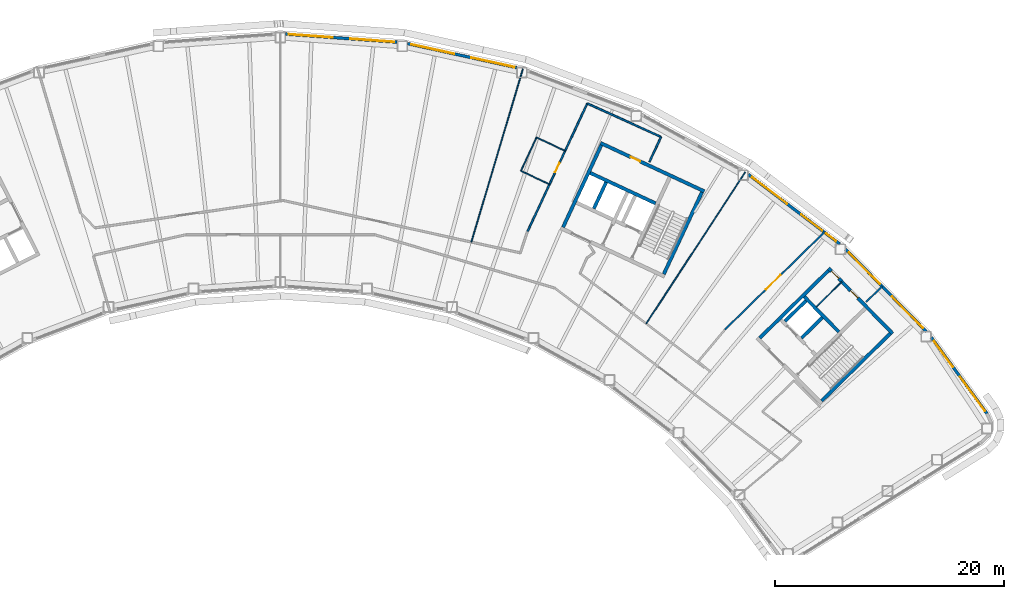
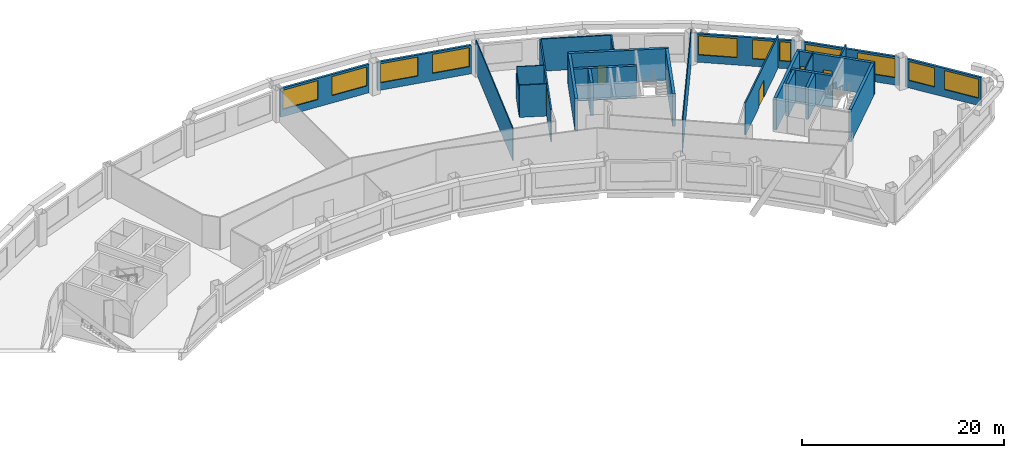
# One storey, part 9 of 12: 27 walls, 11 windows, 5 doors, 16 openings.
"""IFC4 building model written with IfcOpenShell, lengths in metres."""

from ifc_helpers import new_model, si_unit, direction, frame, frame_2d, origin, place, context, subcontext, project, spatial, rectangle, extrude, material, layer, layer_set, type_object, element, fill, save


model = new_model("IFC4")

# Units and contexts
model_context = context("Model", 3, precision=1e-05, world=origin(), true_north=direction((0.0, 1.0)))
body_context = subcontext(model_context, "Body", "Model", "MODEL_VIEW")
ifc_project = project(units=[si_unit("LENGTHUNIT", "METRE"), si_unit("AREAUNIT", "SQUARE_METRE"), si_unit("VOLUMEUNIT", "CUBIC_METRE"), si_unit("PLANEANGLEUNIT", "RADIAN"), si_unit("MASSUNIT", "GRAM", prefix="KILO")], contexts=[model_context])

# Site, building, storey
site_placement = place(None, origin())
site = spatial("IfcSite", under=ifc_project, at=site_placement, CompositionType="ELEMENT")
building_placement = place(site_placement, origin())
building = spatial("IfcBuilding", under=site, at=building_placement, Name="Tuul Gate Civic Tower", CompositionType="ELEMENT")
storey_placement = place(building_placement, frame((0.0, 0.0, 193.10009765625)))
storey = spatial("IfcBuildingStorey", under=building, at=storey_placement, Name="Level 44", CompositionType="ELEMENT", Elevation=193.10009765625)

# Wall
ifc_material_1 = material(Name="Concrete C50/60", Category="concrete")
ifc_layer_1 = layer(ifc_material_1, 0.300048828125)
ifc_layer_set_1 = layer_set([ifc_layer_1], Name="Concrete C50/60")
wall_type_1 = type_object("IfcWallType", Name="Core wall C50/60", PredefinedType="SHEAR", material=ifc_layer_set_1)
wall_1_placement = place(storey_placement, frame((49.737060546875, -12.0849609375, 0.0), z_axis=(0.0, 0.0, 1.0), x_axis=(-0.700002721075, 0.714140175657, 0.0)))
element("IfcWall", 1, at=wall_1_placement, inside=storey, type_object=wall_type_1, Name="Core wall", PredefinedType="SHEAR", context=body_context, shape_type="SweptSolid", body=[
    extrude(rectangle(XDim=4.300048828125, YDim=0.300048828125, at=frame_2d((2.14990234375, 0.0))), origin(), (0.0, 0.0, 1.0), 3.89990234375),
])

# Wall, openings, doors
wall_2_placement = place(storey_placement, frame((54.43798828125, -12.23779296875, 0.0), z_axis=(0.0, 0.0, 1.0), x_axis=(-0.700021979774, 0.714121297703, 0.0)))
wall_2 = element("IfcWall", 2, at=wall_2_placement, inside=storey, type_object=wall_type_1, Name="Core wall", PredefinedType="SHEAR", context=body_context, shape_type="SweptSolid", body=[
    extrude(rectangle(XDim=8.0, YDim=0.300048828125, at=frame_2d((4.0, 0.0))), origin(), (0.0, 0.0, 1.0), 3.89990234375),
])
opening_1_placement = place(wall_2_placement, frame((4.34375, 0.0, 0.0)))
opening_1 = element("IfcOpeningElement", 3, at=opening_1_placement, cuts=wall_2, Name="Opening P-D14", PredefinedType="OPENING", context=body_context, shape_type="SweptSolid", body=[
    extrude(rectangle(XDim=0.89990234375, YDim=2.10009765625, at=frame_2d((0.449951171875, 1.050048828125))), frame((0.0, 0.16015625, 0.0), z_axis=(0.0, -1.0, 0.0), x_axis=(1.0, 0.0, 0.0)), (0.0, 0.0, 1.0), 0.320068359375),
])
opening_2_placement = place(wall_2_placement, frame((6.71875, 0.0, 0.0)))
opening_2 = element("IfcOpeningElement", 4, at=opening_2_placement, cuts=wall_2, Name="Opening P-D15", PredefinedType="OPENING", context=body_context, shape_type="SweptSolid", body=[
    extrude(rectangle(XDim=0.89990234375, YDim=2.10009765625, at=frame_2d((0.449951171875, 1.050048828125))), frame((0.0, 0.16015625, 0.0), z_axis=(0.0, -1.0, 0.0), x_axis=(1.0, 0.0, 0.0)), (0.0, 0.0, 1.0), 0.320068359375),
])
ifc_material_2 = material(Name="Timber door leaf", Category="wood")
door_type_1 = type_object("IfcDoorType", Name="Door D09", OperationType="NOTDEFINED", PredefinedType="DOOR", material=ifc_material_2)
door_1_placement = place(opening_1_placement, origin())
door_1 = element("IfcDoor", 5, at=door_1_placement, inside=storey, type_object=door_type_1, Name="Door P-D14", OperationType="SINGLE_SWING_LEFT", OverallHeight=2.10009765625, OverallWidth=0.89990234375, PredefinedType="DOOR", context=body_context, shape_type="SweptSolid", body=[
    extrude(rectangle(XDim=0.89990234375, YDim=2.10009765625, at=frame_2d((0.449951171875, 1.050048828125))), frame((0.0, 0.02490234375, 0.0), z_axis=(0.0, -1.0, 0.0), x_axis=(1.0, 0.0, 0.0)), (0.0, 0.0, 1.0), 0.050048828125),
])
fill(opening_1, door_1)
door_2_placement = place(opening_2_placement, origin())
door_2 = element("IfcDoor", 6, at=door_2_placement, inside=storey, type_object=door_type_1, Name="Door P-D15", OperationType="SINGLE_SWING_LEFT", OverallHeight=2.10009765625, OverallWidth=0.89990234375, PredefinedType="DOOR", context=body_context, shape_type="SweptSolid", body=[
    extrude(rectangle(XDim=0.89990234375, YDim=2.10009765625, at=frame_2d((0.449951171875, 1.050048828125))), frame((0.0, 0.02490234375, 0.0), z_axis=(0.0, -1.0, 0.0), x_axis=(1.0, 0.0, 0.0)), (0.0, 0.0, 1.0), 0.050048828125),
])
fill(opening_2, door_2)

# Walls
wall_3_placement = place(storey_placement, frame((48.227294921875, -18.115966796875, 0.0), z_axis=(0.0, 0.0, 1.0), x_axis=(0.714105315431, 0.700038283577, 0.0)))
element("IfcWall", 7, at=wall_3_placement, inside=storey, type_object=wall_type_1, Name="Core wall", PredefinedType="SHEAR", context=body_context, shape_type="SweptSolid", body=[
    extrude(rectangle(XDim=8.400146484375, YDim=0.300048828125, at=frame_2d((4.2001953125, 0.0))), origin(), (0.0, 0.0, 1.0), 3.89990234375),
])
wall_4_placement = place(storey_placement, frame((46.47900390625, -12.617919921875, 0.0), z_axis=(0.0, 0.0, 1.0), x_axis=(0.71410944159, 0.700034074479, 0.0)))
element("IfcWall", 8, at=wall_4_placement, inside=storey, type_object=wall_type_1, Name="Core wall", PredefinedType="SHEAR", context=body_context, shape_type="SweptSolid", body=[
    extrude(rectangle(XDim=2.5498046875, YDim=0.300048828125, at=frame_2d((1.27490234375, 0.0))), origin(), (0.0, 0.0, 1.0), 3.89990234375),
])
wall_5_placement = place(storey_placement, frame((45.0439453125, -11.154052734375, 0.0), z_axis=(0.0, 0.0, 1.0), x_axis=(0.714108498262, 0.700035036773, 0.0)))
element("IfcWall", 9, at=wall_5_placement, inside=storey, type_object=wall_type_1, Name="Core wall", PredefinedType="SHEAR", context=body_context, shape_type="SweptSolid", body=[
    extrude(rectangle(XDim=2.550048828125, YDim=0.300048828125, at=frame_2d((1.27490234375, 0.0))), origin(), (0.0, 0.0, 1.0), 3.89990234375),
])
wall_6_placement = place(storey_placement, frame((42.837158203125, -12.616943359375, 0.0), z_axis=(0.0, 0.0, 1.0), x_axis=(0.714119844755, 0.700023461983, 0.0)))
element("IfcWall", 10, at=wall_6_placement, inside=storey, type_object=wall_type_1, Name="Core wall", PredefinedType="SHEAR", context=body_context, shape_type="SweptSolid", body=[
    extrude(rectangle(XDim=8.39990234375, YDim=0.300048828125, at=frame_2d((4.199951171875, 0.0))), origin(), (0.0, 0.0, 1.0), 3.89990234375),
])
wall_7_placement = place(storey_placement, frame((33.75, -0.873779296875, 0.0), z_axis=(0.0, 0.0, 1.0), x_axis=(-0.906300917592, 0.422632992999, 0.0)))
element("IfcWall", 11, at=wall_7_placement, inside=storey, type_object=wall_type_1, Name="Core wall", PredefinedType="SHEAR", context=body_context, shape_type="SweptSolid", body=[
    extrude(rectangle(XDim=6.300048828125, YDim=0.300048828125, at=frame_2d((3.14990234375, 0.0))), origin(), (0.0, 0.0, 1.0), 3.89990234375),
])

# Wall, opening, door
wall_8_placement = place(storey_placement, frame((37.993408203125, 0.181884765625, 0.0), z_axis=(0.0, 0.0, 1.0), x_axis=(-0.906310338845, 0.422612789327, 0.0)))
wall_8 = element("IfcWall", 12, at=wall_8_placement, inside=storey, type_object=wall_type_1, Name="Core wall", PredefinedType="SHEAR", context=body_context, shape_type="SweptSolid", body=[
    extrude(rectangle(XDim=9.999755859375, YDim=0.300048828125, at=frame_2d((5.0, 0.0))), origin(), (0.0, 0.0, 1.0), 3.89990234375),
])
opening_3_placement = place(wall_8_placement, frame((6.175048828125, 0.0, 0.0)))
opening_3 = element("IfcOpeningElement", 13, at=opening_3_placement, cuts=wall_8, Name="Opening P-D16", PredefinedType="OPENING", context=body_context, shape_type="SweptSolid", body=[
    extrude(rectangle(XDim=0.89990234375, YDim=2.10009765625, at=frame_2d((0.449951171875, 1.050048828125))), frame((0.0, 0.16015625, 0.0), z_axis=(0.0, -1.0, 0.0), x_axis=(1.0, 0.0, 0.0)), (0.0, 0.0, 1.0), 0.320068359375),
])
door_3_placement = place(opening_3_placement, origin())
door_3 = element("IfcDoor", 14, at=door_3_placement, inside=storey, type_object=door_type_1, Name="Door P-D16", OperationType="SINGLE_SWING_LEFT", OverallHeight=2.10009765625, OverallWidth=0.89990234375, PredefinedType="DOOR", context=body_context, shape_type="SweptSolid", body=[
    extrude(rectangle(XDim=0.89990234375, YDim=2.10009765625, at=frame_2d((0.449951171875, 1.050048828125))), frame((0.0, 0.02490234375, 0.0), z_axis=(0.0, -1.0, 0.0), x_axis=(1.0, 0.0, 0.0)), (0.0, 0.0, 1.0), 0.050048828125),
])
fill(opening_3, door_3)

# Walls
wall_9_placement = place(storey_placement, frame((34.455810546875, -7.05078125, 0.0), z_axis=(0.0, 0.0, 1.0), x_axis=(0.422570768258, 0.906329932096, 0.0)))
element("IfcWall", 15, at=wall_9_placement, inside=storey, type_object=wall_type_1, Name="Core wall", PredefinedType="SHEAR", context=body_context, shape_type="SweptSolid", body=[
    extrude(rectangle(XDim=7.900146484375, YDim=0.300048828125, at=frame_2d((3.9501953125, 0.0))), origin(), (0.0, 0.0, 1.0), 3.89990234375),
])
wall_10_placement = place(storey_placement, frame((28.349365234375, -1.33447265625, 0.0), z_axis=(0.0, 0.0, 1.0), x_axis=(0.422612891016, 0.906310291427, 0.0)))
element("IfcWall", 16, at=wall_10_placement, inside=storey, type_object=wall_type_1, Name="Core wall", PredefinedType="SHEAR", context=body_context, shape_type="SweptSolid", body=[
    extrude(rectangle(XDim=2.550048828125, YDim=0.300048828125, at=frame_2d((1.27490234375, 0.0))), origin(), (0.0, 0.0, 1.0), 3.89990234375),
])
wall_11_placement = place(storey_placement, frame((25.66455078125, -2.951416015625, 0.0), z_axis=(0.0, 0.0, 1.0), x_axis=(0.422582604137, 0.906324413596, 0.0)))
element("IfcWall", 17, at=wall_11_placement, inside=storey, type_object=wall_type_1, Name="Core wall", PredefinedType="SHEAR", context=body_context, shape_type="SweptSolid", body=[
    extrude(rectangle(XDim=7.89990234375, YDim=0.300048828125, at=frame_2d((3.949951171875, 0.0))), origin(), (0.0, 0.0, 1.0), 3.89990234375),
])
ifc_material_3 = material(Name="Gypsum board partition")
ifc_layer_2 = layer(ifc_material_3, 0.14990234375)
ifc_layer_set_2 = layer_set([ifc_layer_2], Name="Gypsum board partition")
wall_type_2 = type_object("IfcWallType", Name="Corridor wall P150", PredefinedType="PARTITIONING", material=ifc_layer_set_2)
wall_12_placement = place(storey_placement, frame((52.13623046875, -9.461181640625, 0.0), z_axis=(0.0, 0.0, 1.0), x_axis=(0.714201482799, 0.699940170278, 0.0)))
element("IfcWall", 18, at=wall_12_placement, inside=storey, type_object=wall_type_2, Name="p007", PredefinedType="PARTITIONING", context=body_context, shape_type="SweptSolid", body=[
    extrude(rectangle(XDim=1.9345703125, YDim=0.14990234375, at=frame_2d((0.96728515625, 0.0))), origin(), (0.0, 0.0, 1.0), 3.89990234375),
])

# Wall, opening, door
wall_13_placement = place(storey_placement, frame((39.7978515625, -11.885498046875, 0.0), z_axis=(0.0, 0.0, 1.0), x_axis=(0.714136472244, 0.700006499264, 0.0)))
wall_13 = element("IfcWall", 19, at=wall_13_placement, inside=storey, type_object=wall_type_2, Name="p016", PredefinedType="PARTITIONING", context=body_context, shape_type="SweptSolid", body=[
    extrude(rectangle(XDim=12.146484375, YDim=0.14990234375, at=frame_2d((6.0732421875, 0.0))), origin(), (0.0, 0.0, 1.0), 3.89990234375),
])
opening_4_placement = place(wall_13_placement, frame((5.00634765625, 0.0, 0.0)))
opening_4 = element("IfcOpeningElement", 20, at=opening_4_placement, cuts=wall_13, Name="Opening P-D04", PredefinedType="OPENING", context=body_context, shape_type="SweptSolid", body=[
    extrude(rectangle(XDim=1.800048828125, YDim=2.10009765625, at=frame_2d((0.89990234375, 1.050048828125))), frame((0.0, 0.0849609375, 0.0), z_axis=(0.0, -1.0, 0.0), x_axis=(1.0, 0.0, 0.0)), (0.0, 0.0, 1.0), 0.169921875),
])
ifc_material_4 = material(Name="Timber door leaf, double", Category="wood")
door_type_2 = type_object("IfcDoorType", Name="Door D18", OperationType="DOUBLE_DOOR_SINGLE_SWING", PredefinedType="DOOR", material=ifc_material_4)
door_4_placement = place(opening_4_placement, origin())
door_4 = element("IfcDoor", 21, at=door_4_placement, inside=storey, type_object=door_type_2, Name="Door P-D04", OperationType="DOUBLE_DOOR_SINGLE_SWING", OverallHeight=2.10009765625, OverallWidth=1.800048828125, PredefinedType="DOOR", context=body_context, shape_type="SweptSolid", body=[
    extrude(rectangle(XDim=1.800048828125, YDim=2.10009765625, at=frame_2d((0.89990234375, 1.050048828125))), frame((0.0, 0.02490234375, 0.0), z_axis=(0.0, -1.0, 0.0), x_axis=(1.0, 0.0, 0.0)), (0.0, 0.0, 1.0), 0.050048828125),
])
fill(opening_4, door_4)

wall_14_placement = place(storey_placement, frame((22.55859375, -3.34228515625, 0.0), z_axis=(0.0, 0.0, 1.0), x_axis=(0.422581445098, 0.906324954009, 0.0)))
wall_14 = element("IfcWall", 22, at=wall_14_placement, inside=storey, type_object=wall_type_2, Name="p020", PredefinedType="PARTITIONING", context=body_context, shape_type="SweptSolid", body=[
    extrude(rectangle(XDim=12.354248046875, YDim=0.14990234375, at=frame_2d((6.17724609375, 0.0))), origin(), (0.0, 0.0, 1.0), 3.89990234375),
])
opening_5_placement = place(wall_14_placement, frame((5.72705078125, 0.0, 0.0)))
opening_5 = element("IfcOpeningElement", 23, at=opening_5_placement, cuts=wall_14, Name="Opening P-D05", PredefinedType="OPENING", context=body_context, shape_type="SweptSolid", body=[
    extrude(rectangle(XDim=0.89990234375, YDim=2.10009765625, at=frame_2d((0.449951171875, 1.050048828125))), frame((0.0, 0.0849609375, 0.0), z_axis=(0.0, -1.0, 0.0), x_axis=(1.0, 0.0, 0.0)), (0.0, 0.0, 1.0), 0.169921875),
])
door_5_placement = place(opening_5_placement, origin())
door_5 = element("IfcDoor", 24, at=door_5_placement, inside=storey, type_object=door_type_1, Name="Door P-D05", OperationType="SINGLE_SWING_RIGHT", OverallHeight=2.10009765625, OverallWidth=0.89990234375, PredefinedType="DOOR", context=body_context, shape_type="SweptSolid", body=[
    extrude(rectangle(XDim=0.89990234375, YDim=2.10009765625, at=frame_2d((0.449951171875, 1.050048828125))), frame((0.0, 0.02490234375, 0.0), z_axis=(0.0, -1.0, 0.0), x_axis=(1.0, 0.0, 0.0)), (0.0, 0.0, 1.0), 0.050048828125),
])
fill(opening_5, door_5)

# Walls
wall_15_placement = place(storey_placement, frame((27.779296875, 7.854736328125, 0.0), z_axis=(0.0, 0.0, 1.0), x_axis=(0.910758370138, -0.412939694416, 0.0)))
element("IfcWall", 25, at=wall_15_placement, inside=storey, type_object=wall_type_2, Name="p038", PredefinedType="PARTITIONING", context=body_context, shape_type="SweptSolid", body=[
    extrude(rectangle(XDim=7.07568359375, YDim=0.14990234375, at=frame_2d((3.537841796875, 0.0))), origin(), (0.0, 0.0, 1.0), 3.89990234375),
])
wall_16_placement = place(storey_placement, frame((33.20361328125, 2.74658203125, 0.0), z_axis=(0.0, 0.0, 1.0), x_axis=(0.422802363572, 0.906221916176, 0.0)))
element("IfcWall", 26, at=wall_16_placement, inside=storey, type_object=wall_type_2, Name="p039", PredefinedType="PARTITIONING", context=body_context, shape_type="SweptSolid", body=[
    extrude(rectangle(XDim=2.41259765625, YDim=0.14990234375, at=frame_2d((1.206298828125, 0.0))), origin(), (0.0, 0.0, 1.0), 3.89990234375),
])

# Wall, openings, windows
ifc_material_5 = material(Name="Precast concrete C40/50", Category="concrete")
ifc_layer_3 = layer(ifc_material_5, 0.25)
ifc_layer_set_3 = layer_set([ifc_layer_3], Name="Precast concrete C40/50")
wall_type_3 = type_object("IfcWallType", Name="External wall", PredefinedType="STANDARD", material=ifc_layer_set_3)
wall_17_placement = place(storey_placement, frame((62.678955078125, -19.229736328125, 0.0), z_axis=(0.0, 0.0, 1.0), x_axis=(-0.589755466838, 0.80758187779, 0.0)))
wall_17 = element("IfcWall", 27, at=wall_17_placement, inside=storey, type_object=wall_type_3, Name="External wall", PredefinedType="STANDARD", context=body_context, shape_type="SweptSolid", body=[
    extrude(rectangle(XDim=8.25244140625, YDim=0.25, at=frame_2d((4.126220703125, 0.0))), origin(), (0.0, 0.0, 1.0), 3.449951171875),
])
opening_6_placement = place(wall_17_placement, frame((0.30078125, 0.0, 0.89990234375)))
opening_6 = element("IfcOpeningElement", 28, at=opening_6_placement, cuts=wall_17, Name="Opening W21", PredefinedType="OPENING", context=body_context, shape_type="SweptSolid", body=[
    extrude(rectangle(XDim=3.699951171875, YDim=2.300048828125, at=frame_2d((1.85009765625, 1.14990234375))), frame((0.0, 0.135009765625, 0.0), z_axis=(0.0, -1.0, 0.0), x_axis=(1.0, 0.0, 0.0)), (0.0, 0.0, 1.0), 0.27001953125),
])
opening_7_placement = place(wall_17_placement, frame((5.052734375, 0.0, 0.89990234375)))
opening_7 = element("IfcOpeningElement", 29, at=opening_7_placement, cuts=wall_17, Name="Opening W23", PredefinedType="OPENING", context=body_context, shape_type="SweptSolid", body=[
    extrude(rectangle(XDim=2.800048828125, YDim=2.300048828125, at=frame_2d((1.39990234375, 1.14990234375))), frame((0.0, 0.135009765625, 0.0), z_axis=(0.0, -1.0, 0.0), x_axis=(1.0, 0.0, 0.0)), (0.0, 0.0, 1.0), 0.27001953125),
])
ifc_material_6 = material(Name="Glass", Category="glass")
window_type_1 = type_object("IfcWindowType", Name="Window W21 3700 x 2300", PartitioningType="SINGLE_PANEL", PredefinedType="WINDOW", material=ifc_material_6)
window_1_placement = place(opening_6_placement, origin())
window_1 = element("IfcWindow", 30, at=window_1_placement, inside=storey, type_object=window_type_1, Name="Window", OverallHeight=2.300048828125, OverallWidth=3.699951171875, PartitioningType="SINGLE_PANEL", PredefinedType="WINDOW", context=body_context, shape_type="SweptSolid", body=[
    extrude(rectangle(XDim=3.699951171875, YDim=2.300048828125, at=frame_2d((1.85009765625, 1.14990234375))), frame((0.0, 0.030029296875, 0.0), z_axis=(0.0, -1.0, 0.0), x_axis=(1.0, 0.0, 0.0)), (0.0, 0.0, 1.0), 0.06005859375),
])
fill(opening_6, window_1)
ifc_material_7 = material(Name="Glass", Category="glass")
window_type_2 = type_object("IfcWindowType", Name="Window W23 2800 x 2300", PartitioningType="SINGLE_PANEL", PredefinedType="WINDOW", material=ifc_material_7)
window_2_placement = place(opening_7_placement, origin())
window_2 = element("IfcWindow", 31, at=window_2_placement, inside=storey, type_object=window_type_2, Name="Window", OverallHeight=2.300048828125, OverallWidth=2.800048828125, PartitioningType="SINGLE_PANEL", PredefinedType="WINDOW", context=body_context, shape_type="SweptSolid", body=[
    extrude(rectangle(XDim=2.800048828125, YDim=2.300048828125, at=frame_2d((1.39990234375, 1.14990234375))), frame((0.0, 0.030029296875, 0.0), z_axis=(0.0, -1.0, 0.0), x_axis=(1.0, 0.0, 0.0)), (0.0, 0.0, 1.0), 0.06005859375),
])
fill(opening_7, window_2)

wall_18_placement = place(storey_placement, frame((57.3759765625, -12.050048828125, 0.0), z_axis=(0.0, 0.0, 1.0), x_axis=(-0.700042765506, 0.714100921763, 0.0)))
wall_18 = element("IfcWall", 32, at=wall_18_placement, inside=storey, type_object=wall_type_3, Name="External wall", PredefinedType="STANDARD", context=body_context, shape_type="SweptSolid", body=[
    extrude(rectangle(XDim=10.05517578125, YDim=0.25, at=frame_2d((5.027587890625, 0.0))), origin(), (0.0, 0.0, 1.0), 3.449951171875),
])
opening_8_placement = place(wall_18_placement, frame((0.416748046875, 0.0, 0.89990234375)))
opening_8 = element("IfcOpeningElement", 33, at=opening_8_placement, cuts=wall_18, Name="Opening W22", PredefinedType="OPENING", context=body_context, shape_type="SweptSolid", body=[
    extrude(rectangle(XDim=3.85009765625, YDim=2.300048828125, at=frame_2d((1.925048828125, 1.14990234375))), frame((0.0, 0.135009765625, 0.0), z_axis=(0.0, -1.0, 0.0), x_axis=(1.0, 0.0, 0.0)), (0.0, 0.0, 1.0), 0.27001953125),
])
opening_9_placement = place(wall_18_placement, frame((5.787841796875, 0.0, 0.89990234375)))
opening_9 = element("IfcOpeningElement", 34, at=opening_9_placement, cuts=wall_18, Name="Opening W22", PredefinedType="OPENING", context=body_context, shape_type="SweptSolid", body=[
    extrude(rectangle(XDim=3.85009765625, YDim=2.300048828125, at=frame_2d((1.925048828125, 1.14990234375))), frame((0.0, 0.135009765625, 0.0), z_axis=(0.0, -1.0, 0.0), x_axis=(1.0, 0.0, 0.0)), (0.0, 0.0, 1.0), 0.27001953125),
])
ifc_material_8 = material(Name="Glass", Category="glass")
window_type_3 = type_object("IfcWindowType", Name="Window W22 3850 x 2300", PartitioningType="SINGLE_PANEL", PredefinedType="WINDOW", material=ifc_material_8)
window_3_placement = place(opening_8_placement, origin())
window_3 = element("IfcWindow", 35, at=window_3_placement, inside=storey, type_object=window_type_3, Name="Window", OverallHeight=2.300048828125, OverallWidth=3.85009765625, PartitioningType="SINGLE_PANEL", PredefinedType="WINDOW", context=body_context, shape_type="SweptSolid", body=[
    extrude(rectangle(XDim=3.85009765625, YDim=2.300048828125, at=frame_2d((1.925048828125, 1.14990234375))), frame((0.0, 0.030029296875, 0.0), z_axis=(0.0, -1.0, 0.0), x_axis=(1.0, 0.0, 0.0)), (0.0, 0.0, 1.0), 0.06005859375),
])
fill(opening_8, window_3)
window_4_placement = place(opening_9_placement, origin())
window_4 = element("IfcWindow", 36, at=window_4_placement, inside=storey, type_object=window_type_3, Name="Window", OverallHeight=2.300048828125, OverallWidth=3.85009765625, PartitioningType="SINGLE_PANEL", PredefinedType="WINDOW", context=body_context, shape_type="SweptSolid", body=[
    extrude(rectangle(XDim=3.85009765625, YDim=2.300048828125, at=frame_2d((1.925048828125, 1.14990234375))), frame((0.0, 0.030029296875, 0.0), z_axis=(0.0, -1.0, 0.0), x_axis=(1.0, 0.0, 0.0)), (0.0, 0.0, 1.0), 0.06005859375),
])
fill(opening_9, window_4)

wall_19_placement = place(storey_placement, frame((49.83251953125, -4.425048828125, 0.0), z_axis=(0.0, 0.0, 1.0), x_axis=(-0.795600211162, 0.605822006862, 0.0)))
wall_19 = element("IfcWall", 37, at=wall_19_placement, inside=storey, type_object=wall_type_3, Name="External wall", PredefinedType="STANDARD", context=body_context, shape_type="SweptSolid", body=[
    extrude(rectangle(XDim=10.043212890625, YDim=0.25, at=frame_2d((5.021484375, 0.0))), origin(), (0.0, 0.0, 1.0), 3.449951171875),
])
opening_10_placement = place(wall_19_placement, frame((5.782958984375, 0.0, 0.89990234375)))
opening_10 = element("IfcOpeningElement", 38, at=opening_10_placement, cuts=wall_19, Name="Opening W22", PredefinedType="OPENING", context=body_context, shape_type="SweptSolid", body=[
    extrude(rectangle(XDim=3.85009765625, YDim=2.300048828125, at=frame_2d((1.925048828125, 1.14990234375))), frame((0.0, 0.135009765625, 0.0), z_axis=(0.0, -1.0, 0.0), x_axis=(1.0, 0.0, 0.0)), (0.0, 0.0, 1.0), 0.27001953125),
])
opening_11_placement = place(wall_19_placement, frame((0.412841796875, 0.0, 0.89990234375)))
opening_11 = element("IfcOpeningElement", 39, at=opening_11_placement, cuts=wall_19, Name="Opening W33", PredefinedType="OPENING", context=body_context, shape_type="SweptSolid", body=[
    extrude(rectangle(XDim=1.10009765625, YDim=2.300048828125, at=frame_2d((0.550048828125, 1.14990234375))), frame((0.0, 0.135009765625, 0.0), z_axis=(0.0, -1.0, 0.0), x_axis=(1.0, 0.0, 0.0)), (0.0, 0.0, 1.0), 0.27001953125),
])
opening_12_placement = place(wall_19_placement, frame((1.937744140625, 0.0, 0.89990234375)))
opening_12 = element("IfcOpeningElement", 40, at=opening_12_placement, cuts=wall_19, Name="Opening W34", PredefinedType="OPENING", context=body_context, shape_type="SweptSolid", body=[
    extrude(rectangle(XDim=2.300048828125, YDim=2.300048828125, at=frame_2d((1.14990234375, 1.14990234375))), frame((0.0, 0.135009765625, 0.0), z_axis=(0.0, -1.0, 0.0), x_axis=(1.0, 0.0, 0.0)), (0.0, 0.0, 1.0), 0.27001953125),
])
ifc_material_9 = material(Name="Glass", Category="glass")
window_type_4 = type_object("IfcWindowType", Name="Window 1100 x 2300", PartitioningType="SINGLE_PANEL", PredefinedType="WINDOW", material=ifc_material_9)
window_5_placement = place(opening_11_placement, origin())
window_5 = element("IfcWindow", 41, at=window_5_placement, inside=storey, type_object=window_type_4, Name="Window", OverallHeight=2.300048828125, OverallWidth=1.10009765625, PartitioningType="SINGLE_PANEL", PredefinedType="WINDOW", context=body_context, shape_type="SweptSolid", body=[
    extrude(rectangle(XDim=1.10009765625, YDim=2.300048828125, at=frame_2d((0.550048828125, 1.14990234375))), frame((0.0, 0.030029296875, 0.0), z_axis=(0.0, -1.0, 0.0), x_axis=(1.0, 0.0, 0.0)), (0.0, 0.0, 1.0), 0.06005859375),
])
fill(opening_11, window_5)
ifc_material_10 = material(Name="Glass", Category="glass")
window_type_5 = type_object("IfcWindowType", Name="Window 2300 x 2300", PartitioningType="SINGLE_PANEL", PredefinedType="WINDOW", material=ifc_material_10)
window_6_placement = place(opening_12_placement, origin())
window_6 = element("IfcWindow", 42, at=window_6_placement, inside=storey, type_object=window_type_5, Name="Window", OverallHeight=2.300048828125, OverallWidth=2.300048828125, PartitioningType="SINGLE_PANEL", PredefinedType="WINDOW", context=body_context, shape_type="SweptSolid", body=[
    extrude(rectangle(XDim=2.300048828125, YDim=2.300048828125, at=frame_2d((1.14990234375, 1.14990234375))), frame((0.0, 0.030029296875, 0.0), z_axis=(0.0, -1.0, 0.0), x_axis=(1.0, 0.0, 0.0)), (0.0, 0.0, 1.0), 0.06005859375),
])
fill(opening_12, window_6)
window_7_placement = place(opening_10_placement, origin())
window_7 = element("IfcWindow", 43, at=window_7_placement, inside=storey, type_object=window_type_3, Name="Window", OverallHeight=2.300048828125, OverallWidth=3.85009765625, PartitioningType="SINGLE_PANEL", PredefinedType="WINDOW", context=body_context, shape_type="SweptSolid", body=[
    extrude(rectangle(XDim=3.85009765625, YDim=2.300048828125, at=frame_2d((1.925048828125, 1.14990234375))), frame((0.0, 0.030029296875, 0.0), z_axis=(0.0, -1.0, 0.0), x_axis=(1.0, 0.0, 0.0)), (0.0, 0.0, 1.0), 0.06005859375),
])
fill(opening_10, window_7)

wall_20_placement = place(storey_placement, frame((21.616943359375, 10.978271484375, 0.0), z_axis=(0.0, 0.0, 1.0), x_axis=(-0.976564163257, 0.215226473842, 0.0)))
wall_20 = element("IfcWall", 44, at=wall_20_placement, inside=storey, type_object=wall_type_3, Name="External wall", PredefinedType="STANDARD", context=body_context, shape_type="SweptSolid", body=[
    extrude(rectangle(XDim=9.756591796875, YDim=0.25, at=frame_2d((4.87841796875, 0.0))), origin(), (0.0, 0.0, 1.0), 3.449951171875),
])
opening_13_placement = place(wall_20_placement, frame((0.1962890625, 0.0, 0.89990234375)))
opening_13 = element("IfcOpeningElement", 45, at=opening_13_placement, cuts=wall_20, Name="Opening W22", PredefinedType="OPENING", context=body_context, shape_type="SweptSolid", body=[
    extrude(rectangle(XDim=3.85009765625, YDim=2.300048828125, at=frame_2d((1.925048828125, 1.14990234375))), frame((0.0, 0.135009765625, 0.0), z_axis=(0.0, -1.0, 0.0), x_axis=(1.0, 0.0, 0.0)), (0.0, 0.0, 1.0), 0.27001953125),
])
opening_14_placement = place(wall_20_placement, frame((5.567626953125, 0.0, 0.89990234375)))
opening_14 = element("IfcOpeningElement", 46, at=opening_14_placement, cuts=wall_20, Name="Opening W22", PredefinedType="OPENING", context=body_context, shape_type="SweptSolid", body=[
    extrude(rectangle(XDim=3.85009765625, YDim=2.300048828125, at=frame_2d((1.925048828125, 1.14990234375))), frame((0.0, 0.135009765625, 0.0), z_axis=(0.0, -1.0, 0.0), x_axis=(1.0, 0.0, 0.0)), (0.0, 0.0, 1.0), 0.27001953125),
])
window_8_placement = place(opening_13_placement, origin())
window_8 = element("IfcWindow", 47, at=window_8_placement, inside=storey, type_object=window_type_3, Name="Window", OverallHeight=2.300048828125, OverallWidth=3.85009765625, PartitioningType="SINGLE_PANEL", PredefinedType="WINDOW", context=body_context, shape_type="SweptSolid", body=[
    extrude(rectangle(XDim=3.85009765625, YDim=2.300048828125, at=frame_2d((1.925048828125, 1.14990234375))), frame((0.0, 0.030029296875, 0.0), z_axis=(0.0, -1.0, 0.0), x_axis=(1.0, 0.0, 0.0)), (0.0, 0.0, 1.0), 0.06005859375),
])
fill(opening_13, window_8)
window_9_placement = place(opening_14_placement, origin())
window_9 = element("IfcWindow", 48, at=window_9_placement, inside=storey, type_object=window_type_3, Name="Window", OverallHeight=2.300048828125, OverallWidth=3.85009765625, PartitioningType="SINGLE_PANEL", PredefinedType="WINDOW", context=body_context, shape_type="SweptSolid", body=[
    extrude(rectangle(XDim=3.85009765625, YDim=2.300048828125, at=frame_2d((1.925048828125, 1.14990234375))), frame((0.0, 0.030029296875, 0.0), z_axis=(0.0, -1.0, 0.0), x_axis=(1.0, 0.0, 0.0)), (0.0, 0.0, 1.0), 0.06005859375),
])
fill(opening_14, window_9)

wall_21_placement = place(storey_placement, frame((11.18896484375, 13.202880859375, 0.0), z_axis=(0.0, 0.0, 1.0), x_axis=(-0.997385917902, 0.072258776432, 0.0)))
wall_21 = element("IfcWall", 49, at=wall_21_placement, inside=storey, type_object=wall_type_3, Name="External wall", PredefinedType="STANDARD", context=body_context, shape_type="SweptSolid", body=[
    extrude(rectangle(XDim=9.774658203125, YDim=0.25, at=frame_2d((4.88720703125, 0.0))), origin(), (0.0, 0.0, 1.0), 3.449951171875),
])
opening_15_placement = place(wall_21_placement, frame((0.253173828125, 0.0, 0.89990234375)))
opening_15 = element("IfcOpeningElement", 50, at=opening_15_placement, cuts=wall_21, Name="Opening W22", PredefinedType="OPENING", context=body_context, shape_type="SweptSolid", body=[
    extrude(rectangle(XDim=3.85009765625, YDim=2.300048828125, at=frame_2d((1.925048828125, 1.14990234375))), frame((0.0, 0.135009765625, 0.0), z_axis=(0.0, -1.0, 0.0), x_axis=(1.0, 0.0, 0.0)), (0.0, 0.0, 1.0), 0.27001953125),
])
opening_16_placement = place(wall_21_placement, frame((5.624267578125, 0.0, 0.89990234375)))
opening_16 = element("IfcOpeningElement", 51, at=opening_16_placement, cuts=wall_21, Name="Opening W22", PredefinedType="OPENING", context=body_context, shape_type="SweptSolid", body=[
    extrude(rectangle(XDim=3.85009765625, YDim=2.300048828125, at=frame_2d((1.925048828125, 1.14990234375))), frame((0.0, 0.135009765625, 0.0), z_axis=(0.0, -1.0, 0.0), x_axis=(1.0, 0.0, 0.0)), (0.0, 0.0, 1.0), 0.27001953125),
])
window_10_placement = place(opening_15_placement, origin())
window_10 = element("IfcWindow", 52, at=window_10_placement, inside=storey, type_object=window_type_3, Name="Window", OverallHeight=2.300048828125, OverallWidth=3.85009765625, PartitioningType="SINGLE_PANEL", PredefinedType="WINDOW", context=body_context, shape_type="SweptSolid", body=[
    extrude(rectangle(XDim=3.85009765625, YDim=2.300048828125, at=frame_2d((1.925048828125, 1.14990234375))), frame((0.0, 0.030029296875, 0.0), z_axis=(0.0, -1.0, 0.0), x_axis=(1.0, 0.0, 0.0)), (0.0, 0.0, 1.0), 0.06005859375),
])
fill(opening_15, window_10)
window_11_placement = place(opening_16_placement, origin())
window_11 = element("IfcWindow", 53, at=window_11_placement, inside=storey, type_object=window_type_3, Name="Window", OverallHeight=2.300048828125, OverallWidth=3.85009765625, PartitioningType="SINGLE_PANEL", PredefinedType="WINDOW", context=body_context, shape_type="SweptSolid", body=[
    extrude(rectangle(XDim=3.85009765625, YDim=2.300048828125, at=frame_2d((1.925048828125, 1.14990234375))), frame((0.0, 0.030029296875, 0.0), z_axis=(0.0, -1.0, 0.0), x_axis=(1.0, 0.0, 0.0)), (0.0, 0.0, 1.0), 0.06005859375),
])
fill(opening_16, window_11)

# Walls
ifc_material_11 = material(Name="Gypsum board partition")
ifc_layer_4 = layer(ifc_material_11, 0.10009765625)
ifc_layer_set_4 = layer_set([ifc_layer_4], Name="Gypsum board partition")
wall_type_4 = type_object("IfcWallType", Name="Partition P100", PredefinedType="PARTITIONING", material=ifc_layer_set_4)
wall_22_placement = place(storey_placement, frame((32.929931640625, -11.366943359375, 0.0), z_axis=(0.0, 0.0, 1.0), x_axis=(0.546731234969, 0.837308161139, 0.0)))
element("IfcWall", 54, at=wall_22_placement, inside=storey, type_object=wall_type_4, Name="p019", PredefinedType="PARTITIONING", context=body_context, shape_type="SweptSolid", body=[
    extrude(rectangle(XDim=15.80908203125, YDim=0.10009765625, at=frame_2d((7.904541015625, 0.0))), origin(), (0.0, 0.0, 1.0), 3.89990234375),
])
for number, where, z_axis, x_axis, name in (
    (55, (21.987060546875, 1.963134765625, 0.0), (0.0, 0.0, 1.0), (0.906334492566, -0.422560986823, 0.0), "p021"),
    (56, (23.34765625, 4.881591796875, 0.0), (0.0, 0.0, 1.0), (0.906300613365, -0.422633645389, 0.0), "p023"),
):
    element("IfcWall", number, at=place(storey_placement, frame(where, z_axis=z_axis, x_axis=x_axis)), inside=storey, type_object=wall_type_4, Name=name, PredefinedType="PARTITIONING", context=body_context, shape_type="SweptSolid", body=[
        extrude(rectangle(XDim=2.760009765625, YDim=0.10009765625, at=frame_2d((1.3798828125, 0.0))), origin(), (0.0, 0.0, 1.0), 3.89990234375),
    ])
wall_23_placement = place(storey_placement, frame((17.664794921875, -4.24560546875, 0.0), z_axis=(0.0, 0.0, 1.0), x_axis=(0.285214469951, 0.958463721865, 0.0)))
element("IfcWall", 57, at=wall_23_placement, inside=storey, type_object=wall_type_4, Name="p026", PredefinedType="PARTITIONING", context=body_context, shape_type="SweptSolid", body=[
    extrude(rectangle(XDim=15.763916015625, YDim=0.10009765625, at=frame_2d((7.8818359375, 0.0))), origin(), (0.0, 0.0, 1.0), 3.89990234375),
])
wall_24_placement = place(storey_placement, frame((47.787841796875, -9.882080078125, 0.0), z_axis=(0.0, 0.0, 1.0), x_axis=(0.714119924869, 0.700023380256, 0.0)))
element("IfcWall", 58, at=wall_24_placement, inside=storey, type_object=wall_type_4, Name="bE1-BAND-0", PredefinedType="PARTITIONING", context=body_context, shape_type="SweptSolid", body=[
    extrude(rectangle(XDim=3.10009765625, YDim=0.10009765625, at=frame_2d((1.550048828125, 0.0))), origin(), (0.0, 0.0, 1.0), 3.89990234375),
])
ifc_material_12 = material(Name="Gypsum board partition")
ifc_layer_5 = layer(ifc_material_12, 0.10009765625)
ifc_layer_set_5 = layer_set([ifc_layer_5], Name="Gypsum board partition")
wall_type_5 = type_object("IfcWallType", Name="Partition P100 3100 HIGH", PredefinedType="PARTITIONING", material=ifc_layer_set_5)
wall_25_placement = place(storey_placement, frame((21.987060546875, 1.963134765625, 0.0), z_axis=(0.0, 0.0, 1.0), x_axis=(0.422540927393, 0.906343844618, 0.0)))
element("IfcWall", 59, at=wall_25_placement, inside=storey, type_object=wall_type_5, Name="p022", PredefinedType="PARTITIONING", context=body_context, shape_type="SweptSolid", body=[
    extrude(rectangle(XDim=3.219970703125, YDim=0.10009765625, at=frame_2d((1.60986328125, 0.0))), origin(), (0.0, 0.0, 1.0), 3.099853515625),
])

save(model, "model.ifc")
